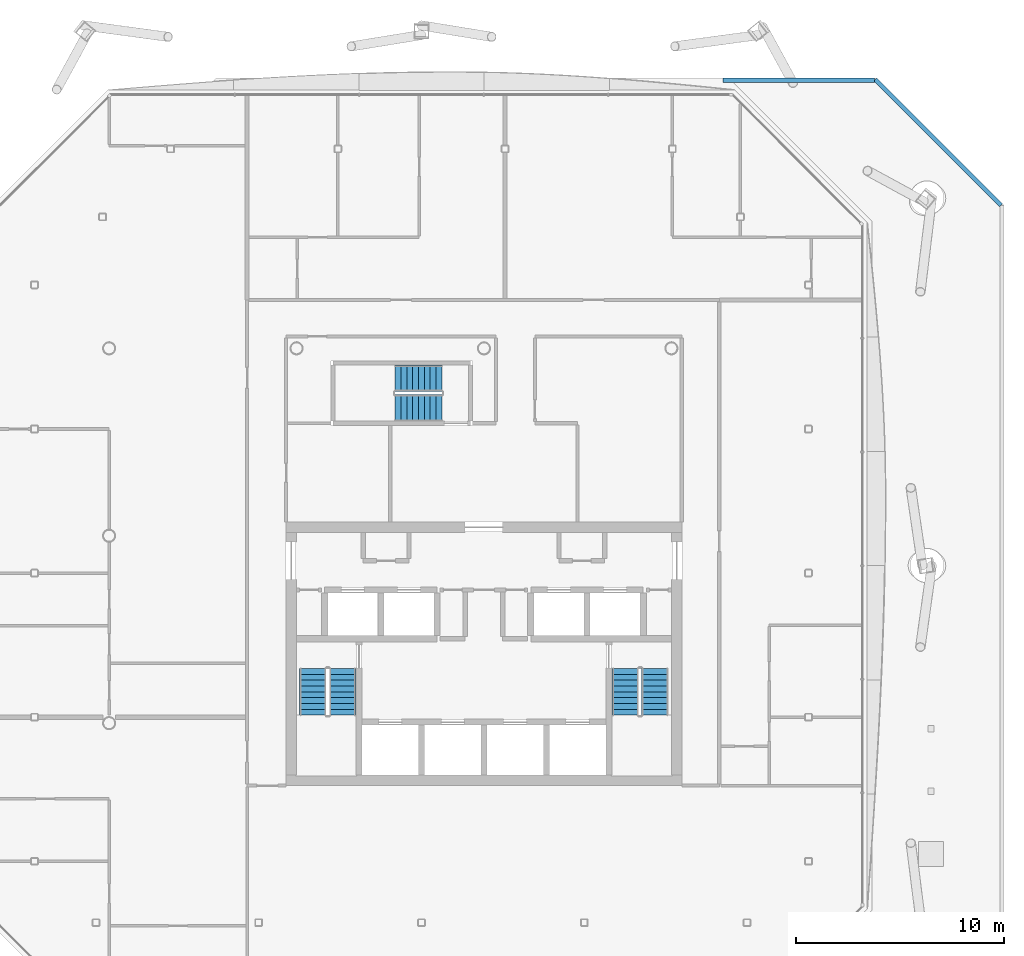
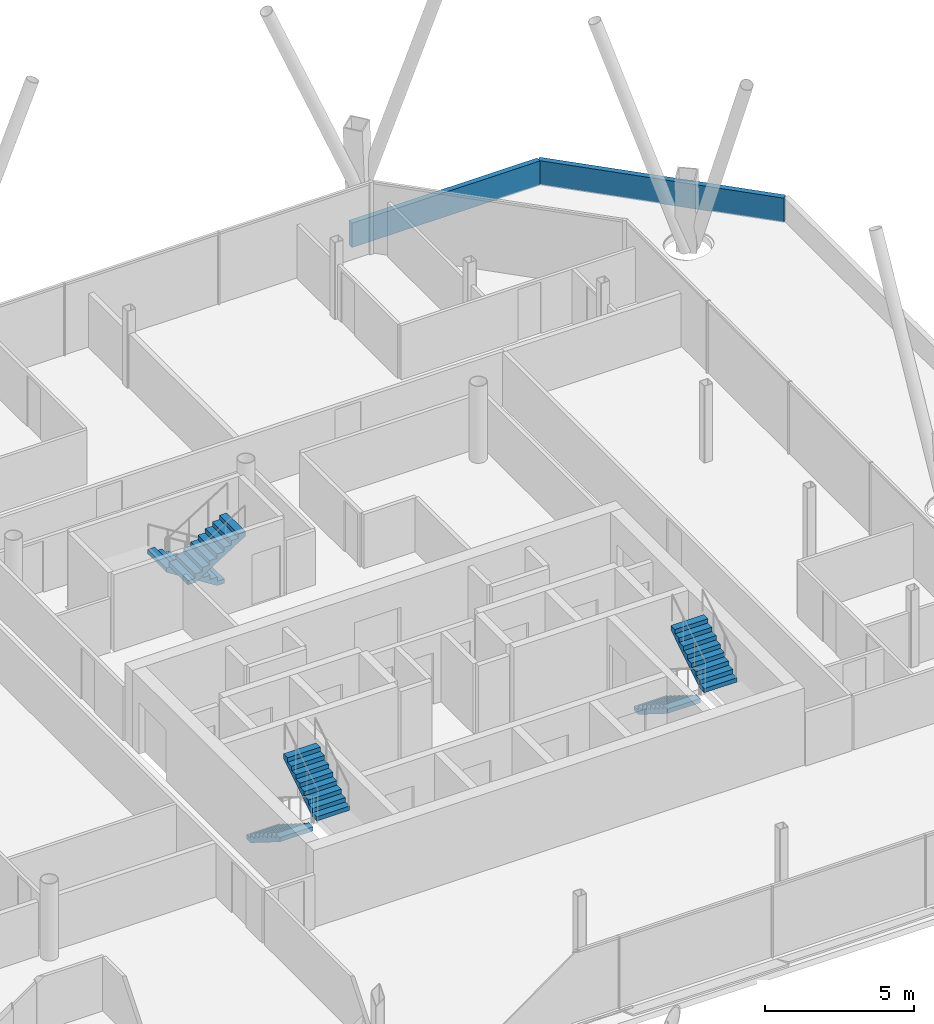
# One storey, part 16 of 21: 6 stair flights, 2 walls, 3 elements without a shape of their own.
"""IFC4 building model written with IfcOpenShell, lengths in metres."""

import ifcopenshell
import ifcopenshell.guid

model = None  # the IFC model being written
_history = None  # IfcOwnerHistory: only IFC2X3 demands one
_inside = {}  # id of a spatial element -> (the spatial element, [elements in it])
_under = {}  # id of a project, library or spatial element -> (it, [spatial elements below it])
_declared = {}  # id of a project -> (the project, [libraries it declares])
_typed = {}  # id of a type object -> (the type object, [elements of that type])
_made_of = {}  # id of a material, layer set ... -> (it, [elements and type objects made of it])


def new_model(schema):
    """Start an empty IFC model of exactly this schema.

    Asked for "IFC4X3", IfcOpenShell would pick the latest addendum, in which some entities
    have other attributes; the version numbers below select the first issue.
    IFC2X3 requires an IfcOwnerHistory on every rooted entity: one is made here for all.
    """
    global model, _history
    if schema == "IFC4X3":
        model = ifcopenshell.file(schema_version=(4, 3, 0, 0))
    else:
        model = ifcopenshell.file(schema=schema)
    _inside.clear()
    _under.clear()
    _declared.clear()
    _typed.clear()
    _made_of.clear()
    _history = None
    if model.schema == "IFC2X3":
        org = make("IfcOrganization", Name="unknown")
        user = make(
            "IfcPersonAndOrganization",
            ThePerson=make("IfcPerson", FamilyName="unknown"),
            TheOrganization=org,
        )
        app = make(
            "IfcApplication",
            ApplicationDeveloper=org,
            Version="unknown",
            ApplicationFullName="unknown",
            ApplicationIdentifier="unknown",
        )
        _history = make(
            "IfcOwnerHistory",
            OwningUser=user,
            OwningApplication=app,
            ChangeAction="ADDED",
            CreationDate=0,
        )
    return model


def make(cls, **values):
    """One entity of the class cls with the attributes given. An attribute that is None is left unset."""
    return model.create_entity(
        cls, **{name: value for name, value in values.items() if value is not None}
    )


def rooted(cls, **values):
    """An entity with a GlobalId (a new one), such as an element, a storey or a relation."""
    return make(cls, GlobalId=ifcopenshell.guid.new(), OwnerHistory=_history, **values)


def si_unit(unit_type, name, prefix=None):
    """IfcSIUnit, for example si_unit("LENGTHUNIT", "METRE", prefix="MILLI")."""
    return make("IfcSIUnit", UnitType=unit_type, Prefix=prefix, Name=name)


def assignment(units):
    """IfcUnitAssignment: the units of a project."""
    return None if units is None else make("IfcUnitAssignment", Units=units)


def point(xyz):
    """IfcCartesianPoint."""
    return None if xyz is None else make("IfcCartesianPoint", Coordinates=xyz)


def direction(xyz):
    """IfcDirection."""
    return None if xyz is None else make("IfcDirection", DirectionRatios=xyz)


def frame(location, z_axis=None, x_axis=None):
    """IfcAxis2Placement3D, a coordinate frame: its origin and axes. An axis left out is left unset."""
    return make(
        "IfcAxis2Placement3D",
        Location=point(location),
        Axis=direction(z_axis),
        RefDirection=direction(x_axis),
    )


def frame_2d(location, x_axis=None):
    """IfcAxis2Placement2D, a coordinate frame in the plane: its origin and x axis."""
    return make(
        "IfcAxis2Placement2D", Location=point(location), RefDirection=direction(x_axis)
    )


def origin():
    """The frame at (0, 0, 0) with its axes left unset."""
    return frame((0.0, 0.0, 0.0))


def place(relative_to, where):
    """IfcLocalPlacement: puts the frame where relative to a parent placement (None: the world)."""
    return make(
        "IfcLocalPlacement", PlacementRelTo=relative_to, RelativePlacement=where
    )


def context(
    kind, dimensions, precision=None, world=None, true_north=None, identifier=None
):
    """IfcGeometricRepresentationContext, for example the 3D "Model" context."""
    return make(
        "IfcGeometricRepresentationContext",
        ContextIdentifier=identifier,
        ContextType=kind,
        CoordinateSpaceDimension=dimensions,
        Precision=precision,
        WorldCoordinateSystem=world,
        TrueNorth=true_north,
    )


def subcontext(parent, identifier, kind, view, scale=None):
    """IfcGeometricRepresentationSubContext, for example "Body" below "Model"."""
    return make(
        "IfcGeometricRepresentationSubContext",
        ContextIdentifier=identifier,
        ContextType=kind,
        ParentContext=parent,
        TargetScale=scale,
        TargetView=view,
    )


def project(units=None, contexts=None):
    """IfcProject with its units and contexts."""
    return rooted(
        "IfcProject",
        Name="project",
        RepresentationContexts=contexts,
        UnitsInContext=assignment(units),
    )


def spatial(cls, under=None, at=None, **own):
    """A site, building, storey or space (cls), placed at a placement, below another one or the project."""
    s = rooted(cls, ObjectPlacement=at, **own)
    if under is not None:
        _under.setdefault(under.id(), (under, []))[1].append(s)
    return s


def polyline(points):
    """IfcPolyline through the points."""
    return make("IfcPolyline", Points=[point(p) for p in points])


def profile(cls, at=None, kind="AREA", **sizes):
    """A parametric profile (cls). Its sizes go by their IFC names, for example OverallWidth=200.0."""
    return make(cls, ProfileType=kind, Position=at, **sizes)


def rectangle(**sizes):
    """IfcRectangleProfileDef."""
    return profile("IfcRectangleProfileDef", **sizes)


def outline(outer, holes=None, kind="AREA"):
    """IfcArbitraryClosedProfileDef: a profile drawn as a closed curve; with holes, ...WithVoids."""
    if holes is None:
        return make("IfcArbitraryClosedProfileDef", ProfileType=kind, OuterCurve=outer)
    return make(
        "IfcArbitraryProfileDefWithVoids",
        ProfileType=kind,
        OuterCurve=outer,
        InnerCurves=holes,
    )


def extrude(swept, where, along, depth):
    """IfcExtrudedAreaSolid: the profile swept, set in the frame where, extruded along a direction by depth."""
    return make(
        "IfcExtrudedAreaSolid",
        SweptArea=swept,
        Position=where,
        ExtrudedDirection=direction(along),
        Depth=depth,
    )


def shape(context_of_items, identifier, shape_type, items):
    """IfcShapeRepresentation: the items that make up one representation, for example the "Body"."""
    return make(
        "IfcShapeRepresentation",
        ContextOfItems=context_of_items,
        RepresentationIdentifier=identifier,
        RepresentationType=shape_type,
        Items=items,
    )


def material(Name=None, Category=None):
    """IfcMaterial."""
    return make("IfcMaterial", Name=Name, Category=Category)


def layer(
    of_material, thickness, ventilated=None, Name=None, Category=None, Priority=None
):
    """IfcMaterialLayer: one layer of a wall or slab, of a material (None: an air gap)."""
    return make(
        "IfcMaterialLayer",
        Material=of_material,
        LayerThickness=thickness,
        IsVentilated=ventilated,
        Name=Name,
        Category=Category,
        Priority=Priority,
    )


def layer_set(layers, Name=None):
    """IfcMaterialLayerSet."""
    return make("IfcMaterialLayerSet", MaterialLayers=layers, LayerSetName=Name)


def made_of(thing, what):
    """Note that an element or type object is made of a material, layer set ...; save() writes the relation."""
    if what is not None:
        _made_of.setdefault(what.id(), (what, []))[1].append(thing)
    return thing


def type_object(cls, material=None, **own):
    """A type object (cls), such as IfcWallType, which elements share."""
    return made_of(rooted(cls, **own), material)


def element(
    cls,
    number,
    at=None,
    inside=None,
    cuts=None,
    type_object=None,
    material=None,
    context=None,
    identifier="Body",
    shape_type=None,
    held_by="IfcProductDefinitionShape",
    body=None,
    shapes=None,
    **own,
):
    """One element of the class cls, such as IfcWall. Its Tag is "e" and its number.

    at: its placement. inside: the storey or other place that contains it. cuts: it is an
    opening in that element (IfcRelVoidsElement). A single representation is given by context,
    identifier, shape_type and body (its items); several are given by shapes. held_by: the class
    of the entity that holds the representations. save() writes the other relations.
    """
    e = rooted(cls, Tag="e%d" % number, ObjectPlacement=at, **own)
    if body is not None:
        shapes = [shape(context, identifier, shape_type, body)]
    if shapes is not None:
        e.Representation = make(held_by, Representations=shapes)
    if inside is not None:
        _inside.setdefault(inside.id(), (inside, []))[1].append(e)
    if cuts is not None:
        rooted(
            "IfcRelVoidsElement", RelatingBuildingElement=cuts, RelatedOpeningElement=e
        )
    if type_object is not None:
        _typed.setdefault(type_object.id(), (type_object, []))[1].append(e)
    return made_of(e, material)


def aggregate(whole, parts):
    """IfcRelAggregates: a whole, such as a stair, and the parts it consists of."""
    return rooted("IfcRelAggregates", RelatingObject=whole, RelatedObjects=parts)


def save(model, path):
    """Write the relations noted so far, then the file.

    IfcRelAggregates (storeys below a building ...), IfcRelContainedInSpatialStructure (elements
    in a storey), IfcRelDefinesByType, IfcRelAssociatesMaterial and IfcRelDeclares: one each for
    every whole, place, type object, material and project.
    """
    for whole, parts in _under.values():
        aggregate(whole, parts)
    for where, things in _inside.values():
        rooted(
            "IfcRelContainedInSpatialStructure",
            RelatedElements=things,
            RelatingStructure=where,
        )
    for kind, things in _typed.values():
        rooted("IfcRelDefinesByType", RelatedObjects=things, RelatingType=kind)
    for what, things in _made_of.values():
        rooted("IfcRelAssociatesMaterial", RelatedObjects=things, RelatingMaterial=what)
    for by, libraries in _declared.values():
        rooted("IfcRelDeclares", RelatingContext=by, RelatedDefinitions=libraries)
    model.write(path)


model = new_model("IFC4")

# Units and contexts
model_context = context("Model", 3, precision=1e-05, world=origin(), true_north=direction((0.0, 1.0)))
body_context = subcontext(model_context, "Body", "Model", "MODEL_VIEW")
ifc_project = project(units=[si_unit("LENGTHUNIT", "METRE"), si_unit("AREAUNIT", "SQUARE_METRE"), si_unit("VOLUMEUNIT", "CUBIC_METRE"), si_unit("PLANEANGLEUNIT", "RADIAN"), si_unit("MASSUNIT", "GRAM", prefix="KILO")], contexts=[model_context])

# Site, building, storey
site_placement = place(None, origin())
site = spatial("IfcSite", under=ifc_project, at=site_placement, CompositionType="ELEMENT")
building_placement = place(site_placement, origin())
building = spatial("IfcBuilding", under=site, at=building_placement, Name="Tskaro Facet Tower", CompositionType="ELEMENT")
storey_placement = place(building_placement, frame((0.0, 0.0, 172.199951171875)))
storey = spatial("IfcBuildingStorey", under=building, at=storey_placement, Name="L42", CompositionType="ELEMENT", Elevation=172.199951171875)

# Walls
ifc_material_1 = material(Name="Precast concrete C40/50", Category="concrete")
ifc_layer = layer(ifc_material_1, 0.199951171875, Name="Precast concrete C40/50")
ifc_layer_set = layer_set([ifc_layer], Name="Precast concrete C40/50")
wall_type = type_object("IfcWallType", Name="Roof parapet", PredefinedType="PARAPET", material=ifc_layer_set)
wall_1_placement = place(storey_placement, frame((24.83251953125, 15.864990234375, 0.0), z_axis=(0.0, 0.0, 1.0), x_axis=(-0.707106781187, 0.707106781187, 0.0)))
element("IfcWall", 1, at=wall_1_placement, inside=storey, type_object=wall_type, Name="Roof parapet L42 1.4", PredefinedType="PARAPET", context=body_context, shape_type="SweptSolid", body=[
    extrude(rectangle(XDim=8.53955078125, YDim=0.199951171875, at=frame_2d((4.269775390625, 0.0))), origin(), (0.0, 0.0, 1.0), 1.0),
])
wall_2_placement = place(storey_placement, frame((18.764892578125, 21.8740234375, 0.0), z_axis=(0.0, 0.0, 1.0), x_axis=(-1.0, 0.0, 0.0)))
element("IfcWall", 2, at=wall_2_placement, inside=storey, type_object=wall_type, Name="Roof parapet L42 1.5", PredefinedType="PARAPET", context=body_context, shape_type="SweptSolid", body=[
    extrude(rectangle(XDim=7.27783203125, YDim=0.199951171875, at=frame_2d((3.638916015625, 0.0))), origin(), (0.0, 0.0, 1.0), 1.0),
])

# Stair, stair flights
ifc_material_2 = material(Name="Concrete C40/50", Category="concrete")
stair_type = type_object("IfcStairType", Name="ST-TWR", PredefinedType="HALF_TURN_STAIR", material=ifc_material_2)
stair_1_placement = place(storey_placement, origin())
stair_1 = element("IfcStair", 3, at=stair_1_placement, inside=storey, type_object=stair_type, Name="L42 Exit stair 1", PredefinedType="HALF_TURN_STAIR")
stair_flight_type = type_object("IfcStairFlightType", Name="SFL-RC", PredefinedType="STRAIGHT", material=ifc_material_2)
stair_flight_1_placement = place(storey_placement, frame((-8.21240234375, -6.375, 0.0), z_axis=(0.0, 0.0, 1.0), x_axis=(0.0, -1.0, 0.0)))
stair_flight_1 = element("IfcStairFlight", 4, at=stair_flight_1_placement, type_object=stair_flight_type, Name="ST-1 flight 1", NumberOfRisers=9, NumberOfTreads=8, PredefinedType="STRAIGHT", RiserHeight=0.175, TreadLength=0.28, context=body_context, shape_type="SweptSolid", body=[
    extrude(outline(polyline([(0.0, 0.0), (0.0, 0.175048828125), (0.280029296875, 0.175048828125), (0.280029296875, 0.35009765625), (0.56005859375, 0.35009765625), (0.56005859375, 0.52490234375), (0.840087890625, 0.52490234375), (0.840087890625, 0.699951171875), (1.1201171875, 0.699951171875), (1.1201171875, 0.875), (1.39990234375, 0.875), (1.39990234375, 1.050048828125), (1.679931640625, 1.050048828125), (1.679931640625, 1.22509765625), (1.9599609375, 1.22509765625), (1.9599609375, 1.39990234375), (2.239990234375, 1.39990234375), (2.239990234375, 1.574951171875), (2.239990234375, 1.22314453125), (0.28271484375, 0.0), (0.0, 0.0)])), frame((0.0, 0.637451171875, 0.0), z_axis=(0.0, -1.0, 0.0), x_axis=(1.0, 0.0, 0.0)), (0.0, 0.0, 1.0), 1.27490234375),
])
stair_flight_2_placement = place(storey_placement, frame((-6.78759765625, -8.614990234375, 1.574951171875), z_axis=(0.0, 0.0, 1.0), x_axis=(0.0, 1.0, 0.0)))
stair_flight_2 = element("IfcStairFlight", 5, at=stair_flight_2_placement, type_object=stair_flight_type, Name="ST-1 flight 2", NumberOfRisers=9, NumberOfTreads=8, PredefinedType="STRAIGHT", RiserHeight=0.175, TreadLength=0.28, context=body_context, shape_type="SweptSolid", body=[
    extrude(outline(polyline([(0.0, 0.0), (0.0, 0.175048828125), (0.280029296875, 0.175048828125), (0.280029296875, 0.35009765625), (0.56005859375, 0.35009765625), (0.56005859375, 0.52490234375), (0.840087890625, 0.52490234375), (0.840087890625, 0.699951171875), (1.1201171875, 0.699951171875), (1.1201171875, 0.875), (1.39990234375, 0.875), (1.39990234375, 1.050048828125), (1.679931640625, 1.050048828125), (1.679931640625, 1.22509765625), (1.9599609375, 1.22509765625), (1.9599609375, 1.39990234375), (2.239990234375, 1.39990234375), (2.239990234375, 1.574951171875), (2.239990234375, 1.22314453125), (0.28271484375, 0.0), (0.0, 0.0)])), frame((0.0, 0.637451171875, 0.0), z_axis=(0.0, -1.0, 0.0), x_axis=(1.0, 0.0, 0.0)), (0.0, 0.0, 1.0), 1.27490234375),
])
aggregate(stair_1, [stair_flight_1, stair_flight_2])

stair_2_placement = place(storey_placement, origin())
stair_2 = element("IfcStair", 6, at=stair_2_placement, inside=storey, type_object=stair_type, Name="L42 Exit stair 2", PredefinedType="HALF_TURN_STAIR")
stair_flight_3_placement = place(storey_placement, frame((6.78759765625, -6.375, 0.0), z_axis=(0.0, 0.0, 1.0), x_axis=(0.0, -1.0, 0.0)))
stair_flight_3 = element("IfcStairFlight", 7, at=stair_flight_3_placement, type_object=stair_flight_type, Name="ST-2 flight 1", NumberOfRisers=9, NumberOfTreads=8, PredefinedType="STRAIGHT", RiserHeight=0.175, TreadLength=0.28, context=body_context, shape_type="SweptSolid", body=[
    extrude(outline(polyline([(0.0, 0.0), (0.0, 0.175048828125), (0.280029296875, 0.175048828125), (0.280029296875, 0.35009765625), (0.56005859375, 0.35009765625), (0.56005859375, 0.52490234375), (0.840087890625, 0.52490234375), (0.840087890625, 0.699951171875), (1.1201171875, 0.699951171875), (1.1201171875, 0.875), (1.39990234375, 0.875), (1.39990234375, 1.050048828125), (1.679931640625, 1.050048828125), (1.679931640625, 1.22509765625), (1.9599609375, 1.22509765625), (1.9599609375, 1.39990234375), (2.239990234375, 1.39990234375), (2.239990234375, 1.574951171875), (2.239990234375, 1.22314453125), (0.28271484375, 0.0), (0.0, 0.0)])), frame((0.0, 0.637451171875, 0.0), z_axis=(0.0, -1.0, 0.0), x_axis=(1.0, 0.0, 0.0)), (0.0, 0.0, 1.0), 1.27490234375),
])
stair_flight_4_placement = place(storey_placement, frame((8.21240234375, -8.614990234375, 1.574951171875), z_axis=(0.0, 0.0, 1.0), x_axis=(0.0, 1.0, 0.0)))
stair_flight_4 = element("IfcStairFlight", 8, at=stair_flight_4_placement, type_object=stair_flight_type, Name="ST-2 flight 2", NumberOfRisers=9, NumberOfTreads=8, PredefinedType="STRAIGHT", RiserHeight=0.175, TreadLength=0.28, context=body_context, shape_type="SweptSolid", body=[
    extrude(outline(polyline([(0.0, 0.0), (0.0, 0.175048828125), (0.280029296875, 0.175048828125), (0.280029296875, 0.35009765625), (0.56005859375, 0.35009765625), (0.56005859375, 0.52490234375), (0.840087890625, 0.52490234375), (0.840087890625, 0.699951171875), (1.1201171875, 0.699951171875), (1.1201171875, 0.875), (1.39990234375, 0.875), (1.39990234375, 1.050048828125), (1.679931640625, 1.050048828125), (1.679931640625, 1.22509765625), (1.9599609375, 1.22509765625), (1.9599609375, 1.39990234375), (2.239990234375, 1.39990234375), (2.239990234375, 1.574951171875), (2.239990234375, 1.22314453125), (0.28271484375, 0.0), (0.0, 0.0)])), frame((0.0, 0.637451171875, 0.0), z_axis=(0.0, -1.0, 0.0), x_axis=(1.0, 0.0, 0.0)), (0.0, 0.0, 1.0), 1.27490234375),
])
aggregate(stair_2, [stair_flight_3, stair_flight_4])

stair_3_placement = place(storey_placement, origin())
stair_3 = element("IfcStair", 9, at=stair_3_placement, inside=storey, type_object=stair_type, Name="L42 Exit stair 3", PredefinedType="HALF_TURN_STAIR")
stair_flight_5_placement = place(storey_placement, frame((-2.02490234375, 7.5625, 0.0), z_axis=(0.0, 0.0, 1.0), x_axis=(-1.0, 0.0, 0.0)))
stair_flight_5 = element("IfcStairFlight", 10, at=stair_flight_5_placement, type_object=stair_flight_type, Name="ST-3 flight 1", NumberOfRisers=9, NumberOfTreads=8, PredefinedType="STRAIGHT", RiserHeight=0.175, TreadLength=0.28, context=body_context, shape_type="SweptSolid", body=[
    extrude(outline(polyline([(0.0, 0.0), (0.0, 0.175048828125), (0.280029296875, 0.175048828125), (0.280029296875, 0.35009765625), (0.56005859375, 0.35009765625), (0.56005859375, 0.52490234375), (0.840087890625, 0.52490234375), (0.840087890625, 0.699951171875), (1.1201171875, 0.699951171875), (1.1201171875, 0.875), (1.39990234375, 0.875), (1.39990234375, 1.050048828125), (1.679931640625, 1.050048828125), (1.679931640625, 1.22509765625), (1.9599609375, 1.22509765625), (1.9599609375, 1.39990234375), (2.239990234375, 1.39990234375), (2.239990234375, 1.574951171875), (2.239990234375, 1.22314453125), (0.28271484375, 0.0), (0.0, 0.0)])), frame((0.0, 0.637451171875, 0.0), z_axis=(0.0, -1.0, 0.0), x_axis=(1.0, 0.0, 0.0)), (0.0, 0.0, 1.0), 1.27490234375),
])
stair_flight_6_placement = place(storey_placement, frame((-4.264892578125, 6.137451171875, 1.574951171875), z_axis=(0.0, 0.0, 1.0), x_axis=(1.0, 0.0, 0.0)))
stair_flight_6 = element("IfcStairFlight", 11, at=stair_flight_6_placement, type_object=stair_flight_type, Name="ST-3 flight 2", NumberOfRisers=9, NumberOfTreads=8, PredefinedType="STRAIGHT", RiserHeight=0.175, TreadLength=0.28, context=body_context, shape_type="SweptSolid", body=[
    extrude(outline(polyline([(0.0, 0.0), (0.0, 0.175048828125), (0.280029296875, 0.175048828125), (0.280029296875, 0.35009765625), (0.56005859375, 0.35009765625), (0.56005859375, 0.52490234375), (0.840087890625, 0.52490234375), (0.840087890625, 0.699951171875), (1.1201171875, 0.699951171875), (1.1201171875, 0.875), (1.39990234375, 0.875), (1.39990234375, 1.050048828125), (1.679931640625, 1.050048828125), (1.679931640625, 1.22509765625), (1.9599609375, 1.22509765625), (1.9599609375, 1.39990234375), (2.239990234375, 1.39990234375), (2.239990234375, 1.574951171875), (2.239990234375, 1.22314453125), (0.28271484375, 0.0), (0.0, 0.0)])), frame((0.0, 0.637451171875, 0.0), z_axis=(0.0, -1.0, 0.0), x_axis=(1.0, 0.0, 0.0)), (0.0, 0.0, 1.0), 1.27490234375),
])
aggregate(stair_3, [stair_flight_5, stair_flight_6])

save(model, "model.ifc")
